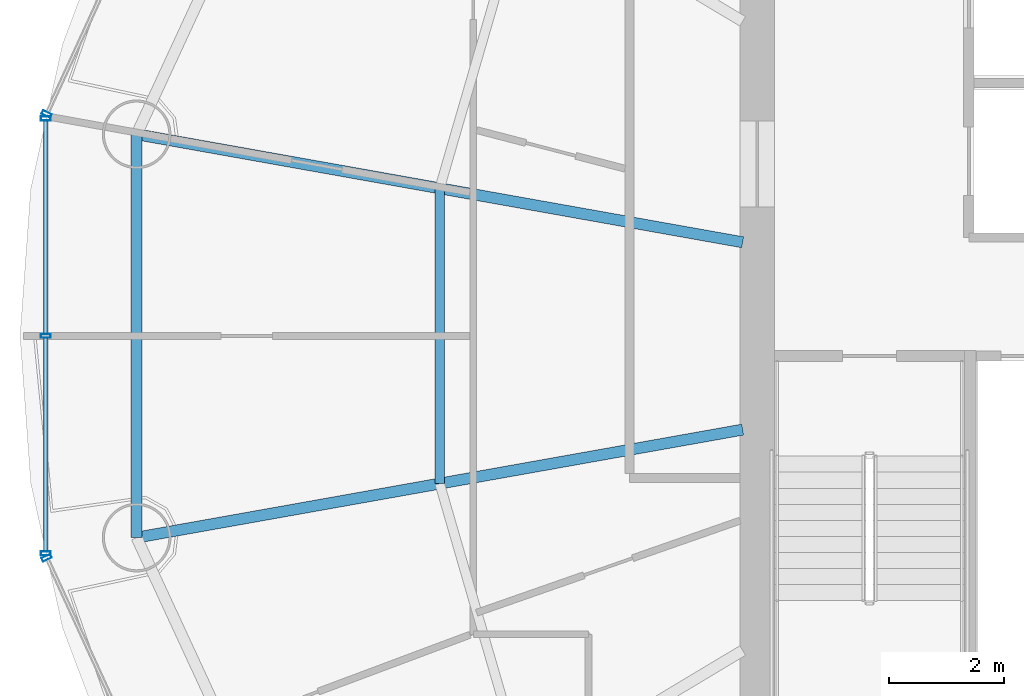
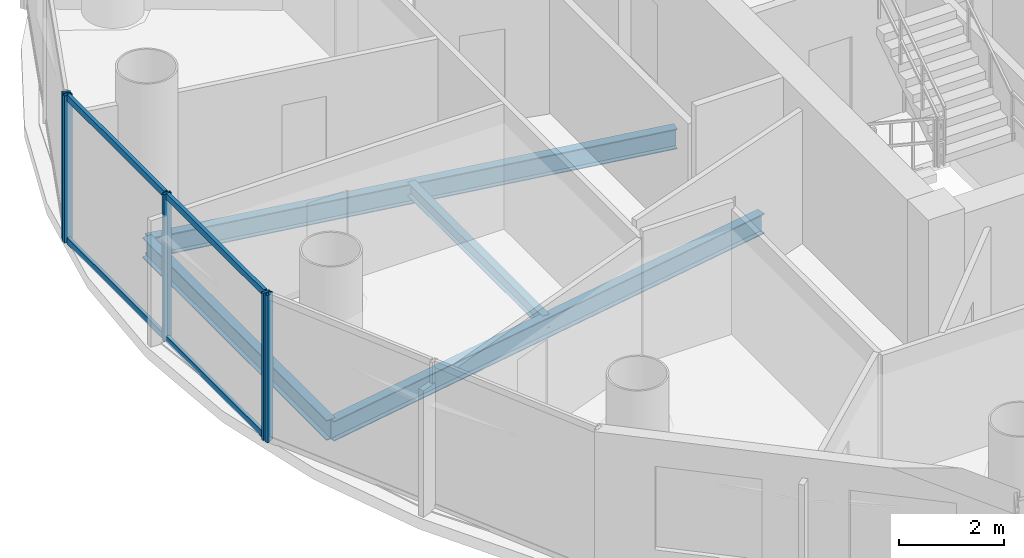
# One storey, part 8 of 26: 9 members, 4 beams, 3 elements without a shape of their own.
"""IFC4 building model written with IfcOpenShell, lengths in metres."""

from ifc_helpers import new_model, si_unit, direction, frame, origin, origin_2d, place, context, subcontext, project, spatial, hollow_rectangle, i_section, extrude, source, transform, mapped, material, material_profile, profile_set, type_object, element, aggregate, save


model = new_model("IFC4")

# Units and contexts
model_context = context("Model", 3, precision=1e-05, world=origin(), true_north=direction((-0.2419218956, 0.970295726276)))
body_context = subcontext(model_context, "Body", "Model", "MODEL_VIEW")
ifc_project = project(units=[si_unit("LENGTHUNIT", "METRE"), si_unit("AREAUNIT", "SQUARE_METRE"), si_unit("VOLUMEUNIT", "CUBIC_METRE"), si_unit("PLANEANGLEUNIT", "RADIAN"), si_unit("MASSUNIT", "GRAM", prefix="KILO")], contexts=[model_context])

# Site, building, storey
site_placement = place(None, origin())
site = spatial("IfcSite", under=ifc_project, at=site_placement, CompositionType="ELEMENT")
building_placement = place(site_placement, origin())
building = spatial("IfcBuilding", under=site, at=building_placement, Name="Cobrevalo Terracotta Tower", CompositionType="ELEMENT")
storey_placement = place(building_placement, frame((0.0, 0.0, 228.199951171875)))
storey = spatial("IfcBuildingStorey", under=building, at=storey_placement, Name="L60", CompositionType="ELEMENT", Elevation=228.199951171875)

# Beams
ifc_material_1 = material(Name="Steel S355", Category="steel")
ifc_material_profile_1 = material_profile(ifc_material_1, i_section(OverallWidth=0.194091796875, OverallDepth=0.468994140625, WebThickness=0.011474609375, FlangeThickness=0.0205078125, at=origin_2d()), Name="W 460x106")
ifc_profile_set_1 = profile_set([ifc_material_profile_1], Name="Steel S355")
beam_type_1 = type_object("IfcBeamType", Name="Structural Beam W 460x106 (Steel S355)", PredefinedType="BEAM", material=ifc_profile_set_1)
for number, where, z_axis, x_axis, name in (
    (1, (18.237060546875, 30.3212890625, -0.49951171875), (0.98449712063, -0.175400739656, 0.0), (0.175400739656, 0.98449712063, 0.0), "L60 radial floor girder 08"),
    (2, (18.237060546875, 23.278564453125, -0.49951171875), (0.984493198547, 0.175422752274, 0.0), (-0.175422752274, 0.984493198547, 0.0), "L60 radial floor girder 09"),
):
    element("IfcBeam", number, at=place(storey_placement, frame(where, z_axis=z_axis, x_axis=x_axis)), inside=storey, type_object=beam_type_1, Name=name, PredefinedType="BEAM", context=body_context, shape_type="SweptSolid", body=[
        extrude(i_section(OverallWidth=0.194091796875, OverallDepth=0.468994140625, WebThickness=0.011474609375, FlangeThickness=0.0205078125, at=origin_2d()), origin(), (0.0, 0.0, 1.0), 10.749755859375),
    ])
ifc_material_profile_2 = material_profile(ifc_material_1, i_section(OverallWidth=0.1650390625, OverallDepth=0.31005859375, WebThickness=0.005859375, FlangeThickness=0.009765625, at=origin_2d()), Name="W 310x38.7")
ifc_profile_set_2 = profile_set([ifc_material_profile_2], Name="Steel S355")
beam_type_2 = type_object("IfcBeamType", Name="Structural Joist W 310x38.7 (Steel S355)", PredefinedType="JOIST", material=ifc_profile_set_2)
beam_1_placement = place(storey_placement, frame((23.528564453125, 29.378662109375, -0.419921875), z_axis=(0.0, -1.0, 0.0), x_axis=(1.0, 0.0, 0.0)))
element("IfcBeam", 3, at=beam_1_placement, inside=storey, type_object=beam_type_2, Name="L60 circumferential secondary floor joist 08", PredefinedType="JOIST", context=body_context, shape_type="SweptSolid", body=[
    extrude(i_section(OverallWidth=0.1650390625, OverallDepth=0.31005859375, WebThickness=0.005859375, FlangeThickness=0.009765625, at=origin_2d()), origin(), (0.0, 0.0, 1.0), 5.1572265625),
])
ifc_material_profile_3 = material_profile(ifc_material_1, i_section(OverallWidth=0.194091796875, OverallDepth=0.468994140625, WebThickness=0.011474609375, FlangeThickness=0.0205078125, at=origin_2d()), Name="W 460x106")
ifc_profile_set_3 = profile_set([ifc_material_profile_3], Name="Steel S355")
beam_type_3 = type_object("IfcBeamType", Name="Structural Spandrel W 460x106 (Steel S355)", PredefinedType="SPANDREL", material=ifc_profile_set_3)
beam_2_placement = place(storey_placement, frame((18.237060546875, 30.3212890625, -0.49951171875), z_axis=(0.0, -1.0, 0.0), x_axis=(1.0, 0.0, 0.0)))
element("IfcBeam", 4, at=beam_2_placement, inside=storey, type_object=beam_type_3, Name="L60 perimeter ring spandrel 08", PredefinedType="SPANDREL", context=body_context, shape_type="SweptSolid", body=[
    extrude(i_section(OverallWidth=0.194091796875, OverallDepth=0.468994140625, WebThickness=0.011474609375, FlangeThickness=0.0205078125, at=origin_2d()), origin(), (0.0, 0.0, 1.0), 7.042724609375),
])

# Curtain wall, members
ifc_material_2 = material(Name="Anodized aluminium", Category="aluminium")
curtain_wall_type = type_object("IfcCurtainWallType", Name="Mid-tower high-wind unitised curtain wall CW-U2", PredefinedType="NOTDEFINED", material=ifc_material_2)
curtain_wall_1_placement = place(storey_placement, origin())
curtain_wall_1 = element("IfcCurtainWall", 5, at=curtain_wall_1_placement, inside=storey, type_object=curtain_wall_type, Name="L60 curtain wall CW-L60-S08", PredefinedType="NOTDEFINED")
ifc_material_profile_4 = material_profile(ifc_material_2, hollow_rectangle(XDim=0.074951171875, YDim=0.14990234375, WallThickness=0.00439453125, at=origin_2d()), Name="CWT 75x150")
ifc_profile_set_4 = profile_set([ifc_material_profile_4], Name="Anodized aluminium")
member_type_1 = type_object("IfcMemberType", Name="Tower unitised aluminium transom 75x150", PredefinedType="USERDEFINED", material=ifc_profile_set_4)
shared_shape_1 = source(origin(), body_context, "Body", "SweptSolid", [
    extrude(hollow_rectangle(XDim=0.074951171875, YDim=0.14990234375, WallThickness=0.00439453125, at=origin_2d()), origin(), (0.0, 0.0, 1.0), 3.71728515625),
])
member_1_placement = place(storey_placement, frame((16.648193359375, 30.557373046875, 0.050048828125), z_axis=(0.0, -1.0, 0.0), x_axis=(1.0, 0.0, 0.0)))
member_1 = element("IfcMember", 6, at=member_1_placement, type_object=member_type_1, Name="CW-L60-S08 transom B01-T1", ObjectType="TRANSOM", PredefinedType="USERDEFINED", context=body_context, shape_type="MappedRepresentation", body=[
    mapped(shared_shape_1, transform((0.0, 0.0, 0.0), scale=1.0)),
])
member_2_placement = place(storey_placement, frame((16.648193359375, 30.557373046875, 3.385009765625), z_axis=(0.0, -1.0, 0.0), x_axis=(1.0, 0.0, 0.0)))
member_2 = element("IfcMember", 7, at=member_2_placement, type_object=member_type_1, Name="CW-L60-S08 transom B01-T2", ObjectType="TRANSOM", PredefinedType="USERDEFINED", context=body_context, shape_type="MappedRepresentation", body=[
    mapped(shared_shape_1, transform((0.0, 0.0, 0.0), scale=1.0)),
])
shared_shape_2 = source(origin(), body_context, "Body", "SweptSolid", [
    extrude(hollow_rectangle(XDim=0.074951171875, YDim=0.14990234375, WallThickness=0.00439453125, at=origin_2d()), origin(), (0.0, 0.0, 1.0), 3.717529296875),
])
member_3_placement = place(storey_placement, frame((16.648193359375, 26.760009765625, 0.050048828125), z_axis=(0.0, -1.0, 0.0), x_axis=(1.0, 0.0, 0.0)))
member_3 = element("IfcMember", 8, at=member_3_placement, type_object=member_type_1, Name="CW-L60-S08 transom B02-T1", ObjectType="TRANSOM", PredefinedType="USERDEFINED", context=body_context, shape_type="MappedRepresentation", body=[
    mapped(shared_shape_2, transform((0.0, 0.0, 0.0), scale=1.0)),
])
member_4_placement = place(storey_placement, frame((16.648193359375, 26.760009765625, 3.385009765625), z_axis=(0.0, -1.0, 0.0), x_axis=(1.0, 0.0, 0.0)))
member_4 = element("IfcMember", 9, at=member_4_placement, type_object=member_type_1, Name="CW-L60-S08 transom B02-T2", ObjectType="TRANSOM", PredefinedType="USERDEFINED", context=body_context, shape_type="MappedRepresentation", body=[
    mapped(shared_shape_2, transform((0.0, 0.0, 0.0), scale=1.0)),
])

# Curtain wall, member
curtain_wall_2_placement = place(storey_placement, origin())
curtain_wall_2 = element("IfcCurtainWall", 10, at=curtain_wall_2_placement, inside=storey, type_object=curtain_wall_type, Name="L60 curtain wall CW-L60-S07", PredefinedType="NOTDEFINED")
ifc_material_profile_5 = material_profile(ifc_material_2, hollow_rectangle(XDim=0.070068359375, YDim=0.169921875, WallThickness=0.00439453125, at=origin_2d()), Name="CWM 70x170")
ifc_profile_set_5 = profile_set([ifc_material_profile_5], Name="Anodized aluminium")
member_type_2 = type_object("IfcMemberType", Name="Upper tower unitised mullion 70x170", PredefinedType="MULLION", material=ifc_profile_set_5)
shared_shape_3 = source(origin(), body_context, "Body", "SweptSolid", [
    extrude(hollow_rectangle(XDim=0.070068359375, YDim=0.169921875, WallThickness=0.00439453125, at=origin_2d()), origin(), (0.0, 0.0, 1.0), 3.43505859375),
])
member_5_placement = place(storey_placement, frame((16.6650390625, 30.673828125, 0.0), z_axis=(0.0, 0.0, 1.0), x_axis=(-0.41672507912, -0.909032567311, 0.0)))
member_5 = element("IfcMember", 11, at=member_5_placement, type_object=member_type_2, Name="CW-L60-S07 vertical mullion 03", PredefinedType="MULLION", context=body_context, shape_type="MappedRepresentation", body=[
    mapped(shared_shape_3, transform((0.0, 0.0, 0.0), scale=1.0)),
])
aggregate(curtain_wall_2, [member_5])

# Member
member_6_placement = place(storey_placement, frame((16.648193359375, 30.597412109375, 0.0), z_axis=(0.0, 0.0, 1.0), x_axis=(0.0, -1.0, 0.0)))
member_6 = element("IfcMember", 12, at=member_6_placement, type_object=member_type_2, Name="CW-L60-S08 vertical mullion 01", PredefinedType="MULLION", context=body_context, shape_type="MappedRepresentation", body=[
    mapped(shared_shape_3, transform((0.0, 0.0, 0.0), scale=1.0)),
])

member_7_placement = place(storey_placement, frame((16.648193359375, 26.800048828125, 0.0), z_axis=(0.0, 0.0, 1.0), x_axis=(0.0, -1.0, 0.0)))
member_7 = element("IfcMember", 13, at=member_7_placement, type_object=member_type_2, Name="CW-L60-S08 vertical mullion 02", PredefinedType="MULLION", context=body_context, shape_type="MappedRepresentation", body=[
    mapped(shared_shape_3, transform((0.0, 0.0, 0.0), scale=1.0)),
])

member_8_placement = place(storey_placement, frame((16.648193359375, 23.002685546875, 0.0), z_axis=(0.0, 0.0, 1.0), x_axis=(0.0, -1.0, 0.0)))
member_8 = element("IfcMember", 14, at=member_8_placement, type_object=member_type_2, Name="CW-L60-S08 vertical mullion 03", PredefinedType="MULLION", context=body_context, shape_type="MappedRepresentation", body=[
    mapped(shared_shape_3, transform((0.0, 0.0, 0.0), scale=1.0)),
])

aggregate(curtain_wall_1, [member_6, member_7, member_8, member_1, member_2, member_3, member_4])

# Curtain wall, member
curtain_wall_3_placement = place(storey_placement, origin())
curtain_wall_3 = element("IfcCurtainWall", 15, at=curtain_wall_3_placement, inside=storey, type_object=curtain_wall_type, Name="L60 curtain wall CW-L60-S09", PredefinedType="NOTDEFINED")
member_9_placement = place(storey_placement, frame((16.6650390625, 22.92626953125, 0.0), z_axis=(0.0, 0.0, 1.0), x_axis=(0.41672507912, -0.909032567311, 0.0)))
member_9 = element("IfcMember", 16, at=member_9_placement, type_object=member_type_2, Name="CW-L60-S09 vertical mullion 01", PredefinedType="MULLION", context=body_context, shape_type="MappedRepresentation", body=[
    mapped(shared_shape_3, transform((0.0, 0.0, 0.0), scale=1.0)),
])
aggregate(curtain_wall_3, [member_9])

save(model, "model.ifc")
